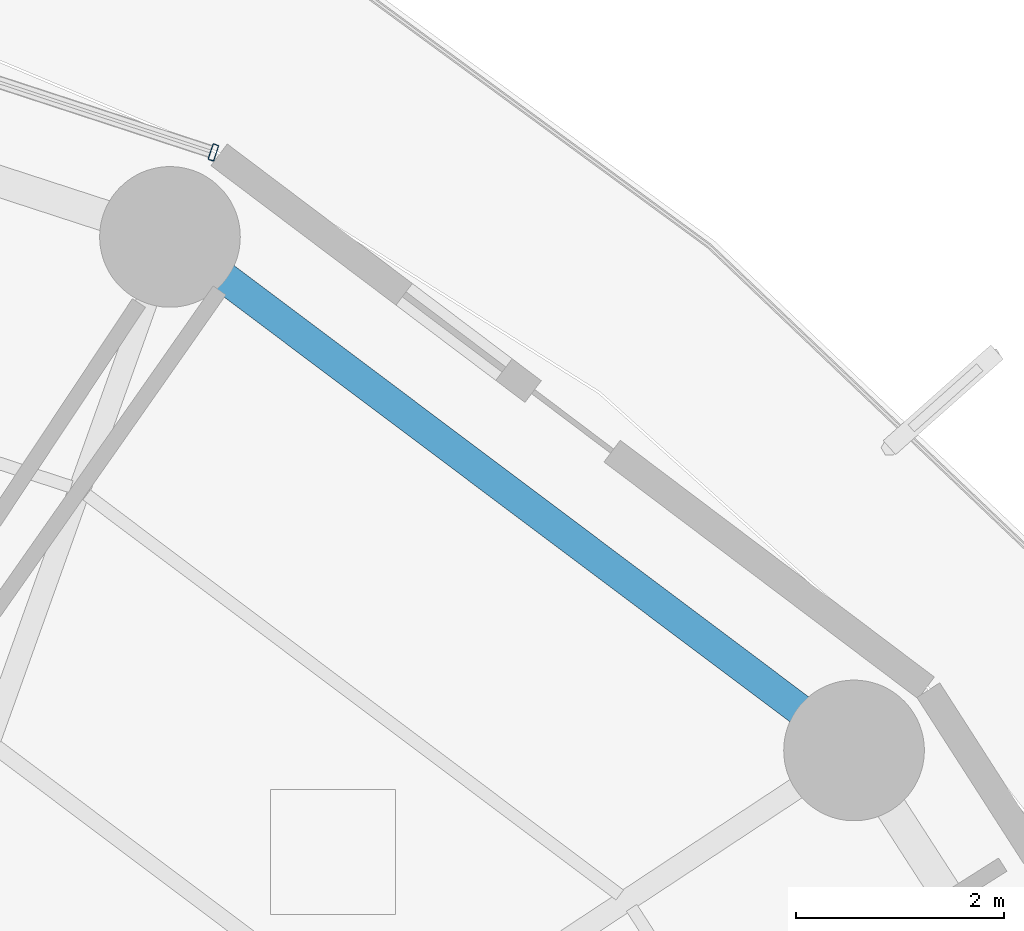
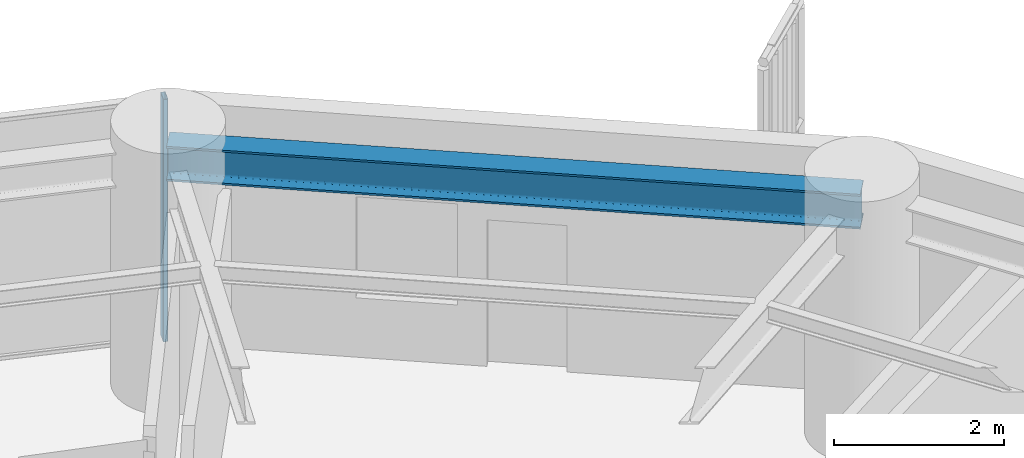
# One storey, part 22 of 33: 1 beam, 1 member, 1 element without a shape of its own.
"""IFC4 building model written with IfcOpenShell, lengths in metres."""

import ifcopenshell
import ifcopenshell.guid

model = None  # the IFC model being written
_history = None  # IfcOwnerHistory: only IFC2X3 demands one
_inside = {}  # id of a spatial element -> (the spatial element, [elements in it])
_under = {}  # id of a project, library or spatial element -> (it, [spatial elements below it])
_declared = {}  # id of a project -> (the project, [libraries it declares])
_typed = {}  # id of a type object -> (the type object, [elements of that type])
_made_of = {}  # id of a material, layer set ... -> (it, [elements and type objects made of it])


def new_model(schema):
    """Start an empty IFC model of exactly this schema.

    Asked for "IFC4X3", IfcOpenShell would pick the latest addendum, in which some entities
    have other attributes; the version numbers below select the first issue.
    IFC2X3 requires an IfcOwnerHistory on every rooted entity: one is made here for all.
    """
    global model, _history
    if schema == "IFC4X3":
        model = ifcopenshell.file(schema_version=(4, 3, 0, 0))
    else:
        model = ifcopenshell.file(schema=schema)
    _inside.clear()
    _under.clear()
    _declared.clear()
    _typed.clear()
    _made_of.clear()
    _history = None
    if model.schema == "IFC2X3":
        org = make("IfcOrganization", Name="unknown")
        user = make(
            "IfcPersonAndOrganization",
            ThePerson=make("IfcPerson", FamilyName="unknown"),
            TheOrganization=org,
        )
        app = make(
            "IfcApplication",
            ApplicationDeveloper=org,
            Version="unknown",
            ApplicationFullName="unknown",
            ApplicationIdentifier="unknown",
        )
        _history = make(
            "IfcOwnerHistory",
            OwningUser=user,
            OwningApplication=app,
            ChangeAction="ADDED",
            CreationDate=0,
        )
    return model


def make(cls, **values):
    """One entity of the class cls with the attributes given. An attribute that is None is left unset."""
    return model.create_entity(
        cls, **{name: value for name, value in values.items() if value is not None}
    )


def rooted(cls, **values):
    """An entity with a GlobalId (a new one), such as an element, a storey or a relation."""
    return make(cls, GlobalId=ifcopenshell.guid.new(), OwnerHistory=_history, **values)


def si_unit(unit_type, name, prefix=None):
    """IfcSIUnit, for example si_unit("LENGTHUNIT", "METRE", prefix="MILLI")."""
    return make("IfcSIUnit", UnitType=unit_type, Prefix=prefix, Name=name)


def assignment(units):
    """IfcUnitAssignment: the units of a project."""
    return None if units is None else make("IfcUnitAssignment", Units=units)


def point(xyz):
    """IfcCartesianPoint."""
    return None if xyz is None else make("IfcCartesianPoint", Coordinates=xyz)


def direction(xyz):
    """IfcDirection."""
    return None if xyz is None else make("IfcDirection", DirectionRatios=xyz)


def frame(location, z_axis=None, x_axis=None):
    """IfcAxis2Placement3D, a coordinate frame: its origin and axes. An axis left out is left unset."""
    return make(
        "IfcAxis2Placement3D",
        Location=point(location),
        Axis=direction(z_axis),
        RefDirection=direction(x_axis),
    )


def frame_2d(location, x_axis=None):
    """IfcAxis2Placement2D, a coordinate frame in the plane: its origin and x axis."""
    return make(
        "IfcAxis2Placement2D", Location=point(location), RefDirection=direction(x_axis)
    )


def origin():
    """The frame at (0, 0, 0) with its axes left unset."""
    return frame((0.0, 0.0, 0.0))


def origin_2d():
    """The frame at (0, 0) in the plane with its x axis left unset."""
    return frame_2d((0.0, 0.0))


def place(relative_to, where):
    """IfcLocalPlacement: puts the frame where relative to a parent placement (None: the world)."""
    return make(
        "IfcLocalPlacement", PlacementRelTo=relative_to, RelativePlacement=where
    )


def context(
    kind, dimensions, precision=None, world=None, true_north=None, identifier=None
):
    """IfcGeometricRepresentationContext, for example the 3D "Model" context."""
    return make(
        "IfcGeometricRepresentationContext",
        ContextIdentifier=identifier,
        ContextType=kind,
        CoordinateSpaceDimension=dimensions,
        Precision=precision,
        WorldCoordinateSystem=world,
        TrueNorth=true_north,
    )


def subcontext(parent, identifier, kind, view, scale=None):
    """IfcGeometricRepresentationSubContext, for example "Body" below "Model"."""
    return make(
        "IfcGeometricRepresentationSubContext",
        ContextIdentifier=identifier,
        ContextType=kind,
        ParentContext=parent,
        TargetScale=scale,
        TargetView=view,
    )


def project(units=None, contexts=None):
    """IfcProject with its units and contexts."""
    return rooted(
        "IfcProject",
        Name="project",
        RepresentationContexts=contexts,
        UnitsInContext=assignment(units),
    )


def spatial(cls, under=None, at=None, **own):
    """A site, building, storey or space (cls), placed at a placement, below another one or the project."""
    s = rooted(cls, ObjectPlacement=at, **own)
    if under is not None:
        _under.setdefault(under.id(), (under, []))[1].append(s)
    return s


def profile(cls, at=None, kind="AREA", **sizes):
    """A parametric profile (cls). Its sizes go by their IFC names, for example OverallWidth=200.0."""
    return make(cls, ProfileType=kind, Position=at, **sizes)


def hollow_rectangle(**sizes):
    """IfcRectangleHollowProfileDef."""
    return profile("IfcRectangleHollowProfileDef", **sizes)


def i_section(**sizes):
    """IfcIShapeProfileDef."""
    return profile("IfcIShapeProfileDef", **sizes)


def extrude(swept, where, along, depth):
    """IfcExtrudedAreaSolid: the profile swept, set in the frame where, extruded along a direction by depth."""
    return make(
        "IfcExtrudedAreaSolid",
        SweptArea=swept,
        Position=where,
        ExtrudedDirection=direction(along),
        Depth=depth,
    )


def shape(context_of_items, identifier, shape_type, items):
    """IfcShapeRepresentation: the items that make up one representation, for example the "Body"."""
    return make(
        "IfcShapeRepresentation",
        ContextOfItems=context_of_items,
        RepresentationIdentifier=identifier,
        RepresentationType=shape_type,
        Items=items,
    )


def material(Name=None, Category=None):
    """IfcMaterial."""
    return make("IfcMaterial", Name=Name, Category=Category)


def layer(
    of_material, thickness, ventilated=None, Name=None, Category=None, Priority=None
):
    """IfcMaterialLayer: one layer of a wall or slab, of a material (None: an air gap)."""
    return make(
        "IfcMaterialLayer",
        Material=of_material,
        LayerThickness=thickness,
        IsVentilated=ventilated,
        Name=Name,
        Category=Category,
        Priority=Priority,
    )


def layer_set(layers, Name=None):
    """IfcMaterialLayerSet."""
    return make("IfcMaterialLayerSet", MaterialLayers=layers, LayerSetName=Name)


def material_profile(
    of_material, cross_section, Name=None, Category=None, Priority=None
):
    """IfcMaterialProfile: a cross section and its material."""
    return make(
        "IfcMaterialProfile",
        Name=Name,
        Material=of_material,
        Profile=cross_section,
        Priority=Priority,
        Category=Category,
    )


def profile_set(profiles, Name=None, composite=None):
    """IfcMaterialProfileSet."""
    return make(
        "IfcMaterialProfileSet",
        Name=Name,
        MaterialProfiles=profiles,
        CompositeProfile=composite,
    )


def made_of(thing, what):
    """Note that an element or type object is made of a material, layer set ...; save() writes the relation."""
    if what is not None:
        _made_of.setdefault(what.id(), (what, []))[1].append(thing)
    return thing


def type_object(cls, material=None, **own):
    """A type object (cls), such as IfcWallType, which elements share."""
    return made_of(rooted(cls, **own), material)


def element(
    cls,
    number,
    at=None,
    inside=None,
    cuts=None,
    type_object=None,
    material=None,
    context=None,
    identifier="Body",
    shape_type=None,
    held_by="IfcProductDefinitionShape",
    body=None,
    shapes=None,
    **own,
):
    """One element of the class cls, such as IfcWall. Its Tag is "e" and its number.

    at: its placement. inside: the storey or other place that contains it. cuts: it is an
    opening in that element (IfcRelVoidsElement). A single representation is given by context,
    identifier, shape_type and body (its items); several are given by shapes. held_by: the class
    of the entity that holds the representations. save() writes the other relations.
    """
    e = rooted(cls, Tag="e%d" % number, ObjectPlacement=at, **own)
    if body is not None:
        shapes = [shape(context, identifier, shape_type, body)]
    if shapes is not None:
        e.Representation = make(held_by, Representations=shapes)
    if inside is not None:
        _inside.setdefault(inside.id(), (inside, []))[1].append(e)
    if cuts is not None:
        rooted(
            "IfcRelVoidsElement", RelatingBuildingElement=cuts, RelatedOpeningElement=e
        )
    if type_object is not None:
        _typed.setdefault(type_object.id(), (type_object, []))[1].append(e)
    return made_of(e, material)


def aggregate(whole, parts):
    """IfcRelAggregates: a whole, such as a stair, and the parts it consists of."""
    return rooted("IfcRelAggregates", RelatingObject=whole, RelatedObjects=parts)


def save(model, path):
    """Write the relations noted so far, then the file.

    IfcRelAggregates (storeys below a building ...), IfcRelContainedInSpatialStructure (elements
    in a storey), IfcRelDefinesByType, IfcRelAssociatesMaterial and IfcRelDeclares: one each for
    every whole, place, type object, material and project.
    """
    for whole, parts in _under.values():
        aggregate(whole, parts)
    for where, things in _inside.values():
        rooted(
            "IfcRelContainedInSpatialStructure",
            RelatedElements=things,
            RelatingStructure=where,
        )
    for kind, things in _typed.values():
        rooted("IfcRelDefinesByType", RelatedObjects=things, RelatingType=kind)
    for what, things in _made_of.values():
        rooted("IfcRelAssociatesMaterial", RelatedObjects=things, RelatingMaterial=what)
    for by, libraries in _declared.values():
        rooted("IfcRelDeclares", RelatingContext=by, RelatedDefinitions=libraries)
    model.write(path)


model = new_model("IFC4")

# Units and contexts
model_context = context("Model", 3, precision=1e-05, world=origin(), true_north=direction((0.0, 1.0)))
body_context = subcontext(model_context, "Body", "Model", "MODEL_VIEW")
ifc_project = project(units=[si_unit("LENGTHUNIT", "METRE"), si_unit("AREAUNIT", "SQUARE_METRE"), si_unit("VOLUMEUNIT", "CUBIC_METRE"), si_unit("PLANEANGLEUNIT", "RADIAN"), si_unit("MASSUNIT", "GRAM", prefix="KILO")], contexts=[model_context])

# Site, building, storey
site_placement = place(None, origin())
site = spatial("IfcSite", under=ifc_project, at=site_placement, CompositionType="ELEMENT")
building_placement = place(site_placement, origin())
building = spatial("IfcBuilding", under=site, at=building_placement, Name="Kelanora Arch Commons", CompositionType="ELEMENT")
storey_placement = place(building_placement, frame((0.0, 0.0, 83.85009765625)))
storey = spatial("IfcBuildingStorey", under=building, at=storey_placement, Name="L21", CompositionType="ELEMENT", Elevation=83.85009765625)

# Beam
ifc_material_1 = material(Name="Steel S355", Category="steel")
ifc_material_profile_1 = material_profile(ifc_material_1, i_section(OverallWidth=0.300048828125, OverallDepth=0.5, WebThickness=0.014404296875, FlangeThickness=0.028076171875, FilletRadius=0.027099609375, at=origin_2d()), Name="HEB500")
ifc_profile_set_1 = profile_set([ifc_material_profile_1], Name="Steel S355")
beam_type = type_object("IfcBeamType", Name="BM-SPN-Z2", PredefinedType="SPANDREL", material=ifc_profile_set_1)
beam_placement = place(storey_placement, frame((92.906005859375, 72.19287109375, 3.239990234375), z_axis=(-0.799735861602, 0.600352023123, 0.0), x_axis=(-0.600352023123, -0.799735861602, 0.0)))
element("IfcBeam", 1, at=beam_placement, inside=storey, type_object=beam_type, Name="Perimeter Spandrel Beam BS-04 L21", PredefinedType="SPANDREL", context=body_context, shape_type="SweptSolid", body=[
    extrude(i_section(OverallWidth=0.300048828125, OverallDepth=0.5, WebThickness=0.014404296875, FlangeThickness=0.028076171875, FilletRadius=0.027099609375, at=origin_2d()), origin(), (0.0, 0.0, 1.0), 8.210205078125),
])

# Curtain wall, member
ifc_material_2 = material(Name="Terracotta ceramic-fritted low-E glass and aluminium", Category="masonry")
ifc_layer = layer(ifc_material_2, 0.159912109375)
ifc_layer_set = layer_set([ifc_layer], Name="Terracotta ceramic-fritted low-E glass and aluminium")
curtain_wall_type = type_object("IfcCurtainWallType", Name="CW-SYS-01", PredefinedType="NOTDEFINED", material=ifc_layer_set)
curtain_wall_placement = place(storey_placement, origin())
curtain_wall = element("IfcCurtainWall", 2, at=curtain_wall_placement, inside=storey, type_object=curtain_wall_type, Name="Unitised Curtain Wall L21-B03", PredefinedType="NOTDEFINED")
ifc_material_3 = material(Name="Powder-coated aluminium terracotta", Category="masonry")
ifc_material_profile_2 = material_profile(ifc_material_3, hollow_rectangle(XDim=0.159912109375, YDim=0.06005859375, WallThickness=0.0048828125, InnerFilletRadius=0.0048828125, OuterFilletRadius=0.010009765625, at=origin_2d()), Name="CWM160x60")
ifc_profile_set_2 = profile_set([ifc_material_profile_2], Name="Powder-coated aluminium terracotta")
member_type = type_object("IfcMemberType", Name="CWM-STD", PredefinedType="MULLION", material=ifc_profile_set_2)
member_placement = place(storey_placement, frame((86.757080078125, 77.9326171875, 0.0), z_axis=(0.0, 0.0, 1.0), x_axis=(-0.31080470294, -0.950473795867, 0.0)))
member = element("IfcMember", 3, at=member_placement, type_object=member_type, Name="CW-01 mullion 1", PredefinedType="MULLION", context=body_context, shape_type="SweptSolid", body=[
    extrude(hollow_rectangle(XDim=0.159912109375, YDim=0.06005859375, WallThickness=0.0048828125, InnerFilletRadius=0.0048828125, OuterFilletRadius=0.010009765625, at=origin_2d()), origin(), (0.0, 0.0, 1.0), 3.474853515625),
])
aggregate(curtain_wall, [member])

save(model, "model.ifc")
